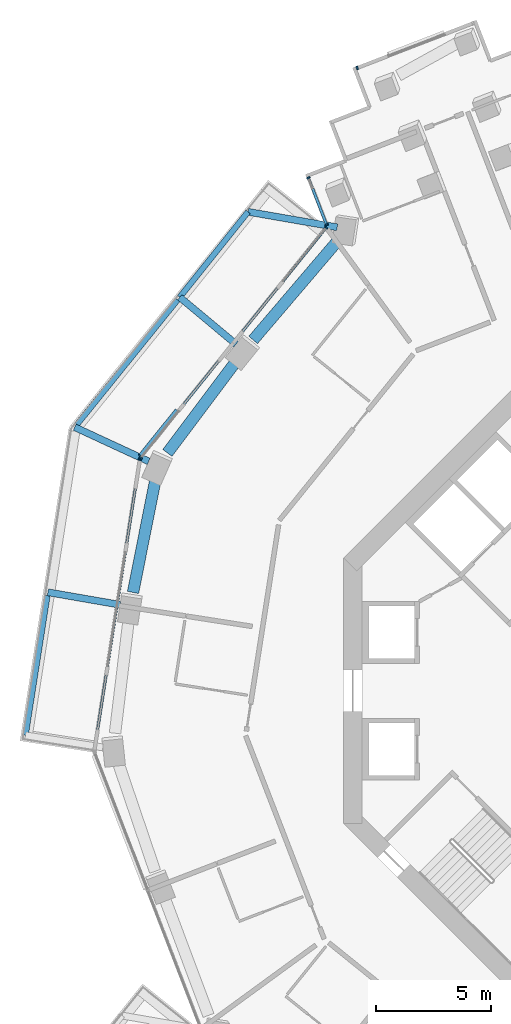
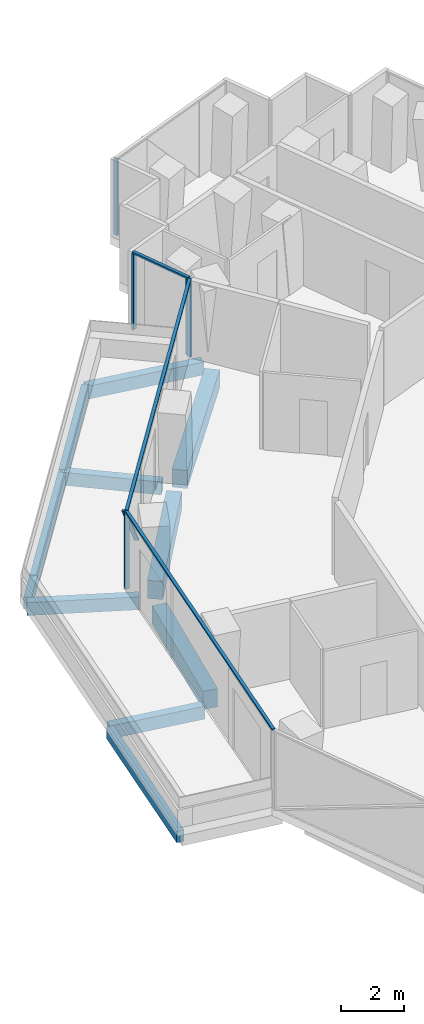
# One storey, part 7 of 23: 10 beams, 10 members, 4 elements without a shape of their own.
"""IFC4 building model written with IfcOpenShell, lengths in metres."""

from ifc_helpers import new_model, si_unit, direction, frame, origin, origin_2d, place, context, subcontext, project, spatial, rectangle, extrude, material, layer, layer_set, material_profile, profile_set, type_object, element, aggregate, save


model = new_model("IFC4")

# Units and contexts
model_context = context("Model", 3, precision=1e-05, world=origin(), true_north=direction((0.0, 1.0)))
body_context = subcontext(model_context, "Body", "Model", "MODEL_VIEW")
ifc_project = project(units=[si_unit("LENGTHUNIT", "METRE"), si_unit("AREAUNIT", "SQUARE_METRE"), si_unit("VOLUMEUNIT", "CUBIC_METRE"), si_unit("PLANEANGLEUNIT", "RADIAN"), si_unit("MASSUNIT", "GRAM", prefix="KILO")], contexts=[model_context])

# Site, building, storey
site_placement = place(None, origin())
site = spatial("IfcSite", under=ifc_project, at=site_placement, CompositionType="ELEMENT")
building_placement = place(site_placement, origin())
building = spatial("IfcBuilding", under=site, at=building_placement, Name="Verdalira Terraces Hotel", CompositionType="ELEMENT")
storey_placement = place(building_placement, frame((0.0, 0.0, 118.5)))
storey = spatial("IfcBuildingStorey", under=building, at=storey_placement, Name="L28", CompositionType="ELEMENT", Elevation=118.5)

# Beams
ifc_material_1 = material(Name="Concrete C40", Category="concrete")
ifc_material_profile_1 = material_profile(ifc_material_1, rectangle(XDim=0.300049, YDim=0.5, at=origin_2d()), Name="RC 300X500")
ifc_profile_set_1 = profile_set([ifc_material_profile_1], Name="Concrete C40")
beam_type_1 = type_object("IfcBeamType", Name="Balcony cantilever beam RC 300X500 C40", PredefinedType="BEAM", material=ifc_profile_set_1)
beam_1_placement = place(storey_placement, frame((-23.762939, 3.755859, -0.560059), z_axis=(-0.985296723, 0.170851886, 0.0), x_axis=(-0.170851886, -0.985296723, 0.0)))
element("IfcBeam", 1, at=beam_1_placement, inside=storey, type_object=beam_type_1, Name="Balcony cantilever beam R11-1", PredefinedType="BEAM", context=body_context, shape_type="SweptSolid", body=[
    extrude(rectangle(XDim=0.300049, YDim=0.5, at=origin_2d()), origin(), (0.0, 0.0, 1.0), 3.200928),
])
beam_2_placement = place(storey_placement, frame((-14.281982, 20.237793, -0.560059), z_axis=(-0.985288321, 0.170900333, 0.0), x_axis=(-0.170900333, -0.985288321, 0.0)))
element("IfcBeam", 2, at=beam_2_placement, inside=storey, type_object=beam_type_1, Name="Balcony cantilever beam R11-3", PredefinedType="BEAM", context=body_context, shape_type="SweptSolid", body=[
    extrude(rectangle(XDim=0.300049, YDim=0.5, at=origin_2d()), origin(), (0.0, 0.0, 1.0), 3.949951),
])
beam_3_placement = place(storey_placement, frame((-18.701416, 15.134033, -0.560059), z_axis=(-0.767814766, 0.640671902, 0.0), x_axis=(-0.640671902, -0.767814766, 0.0)))
element("IfcBeam", 3, at=beam_3_placement, inside=storey, type_object=beam_type_1, Name="Balcony cantilever beam R11-4", PredefinedType="BEAM", context=body_context, shape_type="SweptSolid", body=[
    extrude(rectangle(XDim=0.300049, YDim=0.5, at=origin_2d()), origin(), (0.0, 0.0, 1.0), 3.200928),
])
beam_4_placement = place(storey_placement, frame((-22.515137, 10.015381, -0.560059), z_axis=(-0.907488713, 0.420076464, 0.0), x_axis=(-0.420076464, -0.907488713, 0.0)))
element("IfcBeam", 4, at=beam_4_placement, inside=storey, type_object=beam_type_1, Name="Balcony cantilever beam R11-5", PredefinedType="BEAM", context=body_context, shape_type="SweptSolid", body=[
    extrude(rectangle(XDim=0.300049, YDim=0.5, at=origin_2d()), origin(), (0.0, 0.0, 1.0), 3.556885),
])
ifc_material_2 = material(Name="Concrete C40", Category="concrete")
ifc_material_profile_2 = material_profile(ifc_material_2, rectangle(XDim=0.25, YDim=0.449951, at=origin_2d()), Name="RC 250X450")
ifc_profile_set_2 = profile_set([ifc_material_profile_2], Name="Concrete C40")
beam_type_2 = type_object("IfcBeamType", Name="Balcony edge beam RC 250X450 C40", PredefinedType="BEAM", material=ifc_profile_set_2)
beam_5_placement = place(storey_placement, frame((-26.939941, 4.154541, -0.534912), z_axis=(-0.154366022, -0.98801373, 0.0), x_axis=(0.98801373, -0.154366022, 0.0)))
element("IfcBeam", 5, at=beam_5_placement, inside=storey, type_object=beam_type_2, Name="Balcony edge beam R11-1", PredefinedType="BEAM", context=body_context, shape_type="SweptSolid", body=[
    extrude(rectangle(XDim=0.25, YDim=0.449951, at=origin_2d()), origin(), (0.0, 0.0, 1.0), 6.172852),
])
beam_6_placement = place(storey_placement, frame((-18.173828, 20.912842, -0.534912), z_axis=(-0.625069009, -0.780569493, 0.0), x_axis=(0.780569493, -0.625069009, 0.0)))
element("IfcBeam", 6, at=beam_6_placement, inside=storey, type_object=beam_type_2, Name="Balcony edge beam R11-2", PredefinedType="BEAM", context=body_context, shape_type="SweptSolid", body=[
    extrude(rectangle(XDim=0.25, YDim=0.449951, at=origin_2d()), origin(), (0.0, 0.0, 1.0), 4.776123),
])
beam_7_placement = place(storey_placement, frame((-21.253418, 17.068115, -0.534912), z_axis=(-0.628329791, -0.77794709, 0.0), x_axis=(0.77794709, -0.628329791, 0.0)))
element("IfcBeam", 7, at=beam_7_placement, inside=storey, type_object=beam_type_2, Name="Balcony edge beam R11-3", PredefinedType="BEAM", context=body_context, shape_type="SweptSolid", body=[
    extrude(rectangle(XDim=0.25, YDim=0.449951, at=origin_2d()), origin(), (0.0, 0.0, 1.0), 6.990479),
])

# Curtain wall, members
ifc_material_3 = material(Name="Clear glass", Category="glass")
ifc_layer_1 = layer(ifc_material_3, 0.14990234375)
ifc_layer_set_1 = layer_set([ifc_layer_1], Name="CW1 curtain wall")
curtain_wall_type_1 = type_object("IfcCurtainWallType", Name="CW1 curtain wall", PredefinedType="NOTDEFINED", material=ifc_layer_set_1)
curtain_wall_1_placement = place(storey_placement, origin())
curtain_wall_1 = element("IfcCurtainWall", 8, at=curtain_wall_1_placement, inside=storey, type_object=curtain_wall_type_1, Name="CW1 curtain wall L28 edge 11", PredefinedType="NOTDEFINED")
ifc_material_4 = material(Name="Terracotta frame", Category="masonry")
ifc_material_profile_3 = material_profile(ifc_material_4, rectangle(XDim=0.060059, YDim=0.149902, at=origin_2d()), Name="MU 60x150")
ifc_profile_set_3 = profile_set([ifc_material_profile_3], Name="Terracotta frame")
member_type_1 = type_object("IfcMemberType", Name="CW1 mullion 60x150", PredefinedType="MULLION", material=ifc_profile_set_3)
member_1_placement = place(storey_placement, frame((-14.764648, 20.216309, 0.0), z_axis=(0.0, 0.0, 1.0), x_axis=(-0.627691361, -0.778462302, 0.0)))
member_1 = element("IfcMember", 9, at=member_1_placement, type_object=member_type_1, Name="CW1 mullion", PredefinedType="MULLION", context=body_context, shape_type="SweptSolid", body=[
    extrude(rectangle(XDim=0.060059, YDim=0.149902, at=origin_2d()), origin(), (0.0, 0.0, 1.0), 2.935059),
])
member_2_placement = place(storey_placement, frame((-22.861816, 10.174316, 0.0), z_axis=(0.0, 0.0, 1.0), x_axis=(-0.627691361, -0.778462302, 0.0)))
member_2 = element("IfcMember", 10, at=member_2_placement, type_object=member_type_1, Name="CW1 mullion", PredefinedType="MULLION", context=body_context, shape_type="SweptSolid", body=[
    extrude(rectangle(XDim=0.060059, YDim=0.149902, at=origin_2d()), origin(), (0.0, 0.0, 1.0), 2.935059),
])

# Curtain wall, member
curtain_wall_2_placement = place(storey_placement, origin())
curtain_wall_2 = element("IfcCurtainWall", 11, at=curtain_wall_2_placement, inside=storey, type_object=curtain_wall_type_1, Name="CW1 curtain wall L28 edge 12", PredefinedType="NOTDEFINED")
member_3_placement = place(storey_placement, frame((-22.900879, 10.085693, 0.0), z_axis=(0.0, 0.0, 1.0), x_axis=(-0.154365514, -0.98801381, 0.0)))
member_3 = element("IfcMember", 12, at=member_3_placement, type_object=member_type_1, Name="CW1 mullion", PredefinedType="MULLION", context=body_context, shape_type="SweptSolid", body=[
    extrude(rectangle(XDim=0.060059, YDim=0.149902, at=origin_2d()), origin(), (0.0, 0.0, 1.0), 2.935059),
])

# Member
ifc_material_5 = material(Name="Terracotta frame", Category="masonry")
ifc_material_profile_4 = material_profile(ifc_material_5, rectangle(XDim=0.110107, YDim=0.064941, at=origin_2d()), Name="TR 65x110")
ifc_profile_set_4 = profile_set([ifc_material_profile_4], Name="Terracotta frame")
member_type_2 = type_object("IfcMemberType", Name="CW1 transom 65x110", PredefinedType="USERDEFINED", material=ifc_profile_set_4)
member_4_placement = place(storey_placement, frame((-14.74585, 20.239746, 2.967529), z_axis=(-0.627686171, -0.778466487, 0.0), x_axis=(0.778466487, -0.627686171, 0.0)))
member_4 = element("IfcMember", 13, at=member_4_placement, type_object=member_type_2, Name="CW1 transom", ObjectType="TRANSOM", PredefinedType="USERDEFINED", context=body_context, shape_type="SweptSolid", body=[
    extrude(rectangle(XDim=0.110107, YDim=0.064941, at=origin_2d()), origin(), (0.0, 0.0, 1.0), 12.959961),
])

member_5_placement = place(storey_placement, frame((-22.89624, 10.115479, 2.967529), z_axis=(-0.154367081, -0.988013565, 0.0), x_axis=(0.988013565, -0.154367081, 0.0)))
member_5 = element("IfcMember", 14, at=member_5_placement, type_object=member_type_2, Name="CW1 transom", ObjectType="TRANSOM", PredefinedType="USERDEFINED", context=body_context, shape_type="SweptSolid", body=[
    extrude(rectangle(XDim=0.110107, YDim=0.064941, at=origin_2d()), origin(), (0.0, 0.0, 1.0), 12.919678),
])

aggregate(curtain_wall_2, [member_3, member_5])

# Curtain wall, members
ifc_material_6 = material(Name="Clear glass", Category="glass")
ifc_layer_2 = layer(ifc_material_6, 0.14990234375)
ifc_layer_set_2 = layer_set([ifc_layer_2], Name="CW2 curtain wall")
curtain_wall_type_2 = type_object("IfcCurtainWallType", Name="CW2 curtain wall", PredefinedType="NOTDEFINED", material=ifc_layer_set_2)
curtain_wall_3_placement = place(storey_placement, origin())
curtain_wall_3 = element("IfcCurtainWall", 15, at=curtain_wall_3_placement, inside=storey, type_object=curtain_wall_type_2, Name="CW2 curtain wall L28 edge 10", PredefinedType="NOTDEFINED")
ifc_material_7 = material(Name="Terracotta frame", Category="masonry")
ifc_material_profile_5 = material_profile(ifc_material_7, rectangle(XDim=0.070068, YDim=0.149902, at=origin_2d()), Name="MU 70x150")
ifc_profile_set_5 = profile_set([ifc_material_profile_5], Name="Terracotta frame")
member_type_3 = type_object("IfcMemberType", Name="CW2 mullion 70x150", PredefinedType="MULLION", material=ifc_profile_set_5)
member_6_placement = place(storey_placement, frame((-15.539062, 22.397217, 0.0), z_axis=(0.0, 0.0, 1.0), x_axis=(0.360322448, -0.932827815, 0.0)))
member_6 = element("IfcMember", 16, at=member_6_placement, type_object=member_type_3, Name="CW2 mullion", PredefinedType="MULLION", context=body_context, shape_type="SweptSolid", body=[
    extrude(rectangle(XDim=0.070068, YDim=0.149902, at=origin_2d()), origin(), (0.0, 0.0, 1.0), 2.935059),
])
member_7_placement = place(storey_placement, frame((-14.746826, 20.346436, 0.0), z_axis=(0.0, 0.0, 1.0), x_axis=(0.360322448, -0.932827815, 0.0)))
member_7 = element("IfcMember", 17, at=member_7_placement, type_object=member_type_3, Name="CW2 mullion", PredefinedType="MULLION", context=body_context, shape_type="SweptSolid", body=[
    extrude(rectangle(XDim=0.070068, YDim=0.149902, at=origin_2d()), origin(), (0.0, 0.0, 1.0), 2.935059),
])
ifc_material_8 = material(Name="Terracotta frame", Category="masonry")
ifc_material_profile_6 = material_profile(ifc_material_8, rectangle(XDim=0.11499, YDim=0.064941, at=origin_2d()), Name="TR 65x115")
ifc_profile_set_6 = profile_set([ifc_material_profile_6], Name="Terracotta frame")
member_type_4 = type_object("IfcMemberType", Name="CW2 transom 65x115", PredefinedType="USERDEFINED", material=ifc_profile_set_6)
member_8_placement = place(storey_placement, frame((-15.551758, 22.429932, 2.967529), z_axis=(0.360399279, -0.932798134, 0.0), x_axis=(0.932798134, 0.360399279, 0.0)))
member_8 = element("IfcMember", 18, at=member_8_placement, type_object=member_type_4, Name="CW2 transom", ObjectType="TRANSOM", PredefinedType="USERDEFINED", context=body_context, shape_type="SweptSolid", body=[
    extrude(rectangle(XDim=0.11499, YDim=0.064941, at=origin_2d()), origin(), (0.0, 0.0, 1.0), 2.268555),
])
aggregate(curtain_wall_3, [member_6, member_7, member_8])

# Curtain wall, member
ifc_material_9 = material(Name="Clear glass", Category="glass")
ifc_layer_3 = layer(ifc_material_9, 0.14990234375)
ifc_layer_set_3 = layer_set([ifc_layer_3], Name="CW3 curtain wall")
curtain_wall_type_3 = type_object("IfcCurtainWallType", Name="CW3 curtain wall", PredefinedType="NOTDEFINED", material=ifc_layer_set_3)
curtain_wall_4_placement = place(storey_placement, origin())
curtain_wall_4 = element("IfcCurtainWall", 19, at=curtain_wall_4_placement, inside=storey, type_object=curtain_wall_type_3, Name="CW3 curtain wall L28 edge 5", PredefinedType="NOTDEFINED")
ifc_material_10 = material(Name="Terracotta frame", Category="masonry")
ifc_material_profile_7 = material_profile(ifc_material_10, rectangle(XDim=0.080078, YDim=0.149902, at=origin_2d()), Name="MU 80x150")
ifc_profile_set_7 = profile_set([ifc_material_profile_7], Name="Terracotta frame")
member_type_5 = type_object("IfcMemberType", Name="CW3 mullion 80x150", PredefinedType="MULLION", material=ifc_profile_set_7)
member_9_placement = place(storey_placement, frame((-13.4104, 27.196777, 0.0), z_axis=(0.0, 0.0, 1.0), x_axis=(-0.932827815, -0.360322448, 0.0)))
member_9 = element("IfcMember", 20, at=member_9_placement, type_object=member_type_5, Name="CW3 mullion", PredefinedType="MULLION", context=body_context, shape_type="SweptSolid", body=[
    extrude(rectangle(XDim=0.080078, YDim=0.149902, at=origin_2d()), origin(), (0.0, 0.0, 1.0), 2.935059),
])
aggregate(curtain_wall_4, [member_9])

# Member
ifc_material_11 = material(Name="Terracotta frame", Category="masonry")
ifc_material_profile_8 = material_profile(ifc_material_11, rectangle(XDim=0.149902, YDim=0.060059, at=origin_2d()), Name="GB 60x150")
ifc_profile_set_8 = profile_set([ifc_material_profile_8], Name="Terracotta frame")
member_type_6 = type_object("IfcMemberType", Name="Diagonal glazing bar 60x150", PredefinedType="USERDEFINED", material=ifc_profile_set_8)
member_10_placement = place(storey_placement, frame((-21.304199, 12.247803, 0.0271), z_axis=(-0.41491361, -0.514620053, 0.750341854), x_axis=(0.778488848, -0.627658437, 0.0)))
member_10 = element("IfcMember", 21, at=member_10_placement, type_object=member_type_6, Name="Diagonal glazing bar", ObjectType="GLAZING BAR", PredefinedType="USERDEFINED", context=body_context, shape_type="SweptSolid", body=[
    extrude(rectangle(XDim=0.149902, YDim=0.060059, at=origin_2d()), origin(), (0.0, 0.0, 1.0), 3.839355),
])

aggregate(curtain_wall_1, [member_1, member_2, member_4, member_10])

# Beams
ifc_material_12 = material(Name="Concrete C70", Category="concrete")
ifc_material_profile_9 = material_profile(ifc_material_12, rectangle(XDim=0.5, YDim=0.699951, at=origin_2d()), Name="RC 500X700")
ifc_profile_set_9 = profile_set([ifc_material_profile_9], Name="Concrete C70")
beam_type_3 = type_object("IfcBeamType", Name="Spandrel beam RC 500X700 C70", PredefinedType="SPANDREL", material=ifc_profile_set_9)
beam_8_placement = place(storey_placement, frame((-14.274414, 19.633057, -0.659912), z_axis=(-0.64888211, -0.760888959, 0.0), x_axis=(0.760888959, -0.64888211, 0.0)))
element("IfcBeam", 22, at=beam_8_placement, inside=storey, type_object=beam_type_3, Name="Spandrel beam B02", PredefinedType="SPANDREL", context=body_context, shape_type="SweptSolid", body=[
    extrude(rectangle(XDim=0.5, YDim=0.699951, at=origin_2d()), origin(), (0.0, 0.0, 1.0), 5.671631),
])
beam_9_placement = place(storey_placement, frame((-18.689453, 14.398193, -0.659912), z_axis=(-0.599945445, -0.800040913, 0.0), x_axis=(0.800040913, -0.599945445, 0.0)))
element("IfcBeam", 23, at=beam_9_placement, inside=storey, type_object=beam_type_3, Name="Spandrel beam B03", PredefinedType="SPANDREL", context=body_context, shape_type="SweptSolid", body=[
    extrude(rectangle(XDim=0.5, YDim=0.699951, at=origin_2d()), origin(), (0.0, 0.0, 1.0), 5.012207),
])
beam_10_placement = place(storey_placement, frame((-22.219971, 9.211426, -0.659912), z_axis=(-0.195198657, -0.980763725, 0.0), x_axis=(0.980763725, -0.195198657, 0.0)))
element("IfcBeam", 24, at=beam_10_placement, inside=storey, type_object=beam_type_3, Name="Spandrel beam B04", PredefinedType="SPANDREL", context=body_context, shape_type="SweptSolid", body=[
    extrude(rectangle(XDim=0.5, YDim=0.699951, at=origin_2d()), origin(), (0.0, 0.0, 1.0), 5.015381),
])

save(model, "model.ifc")
